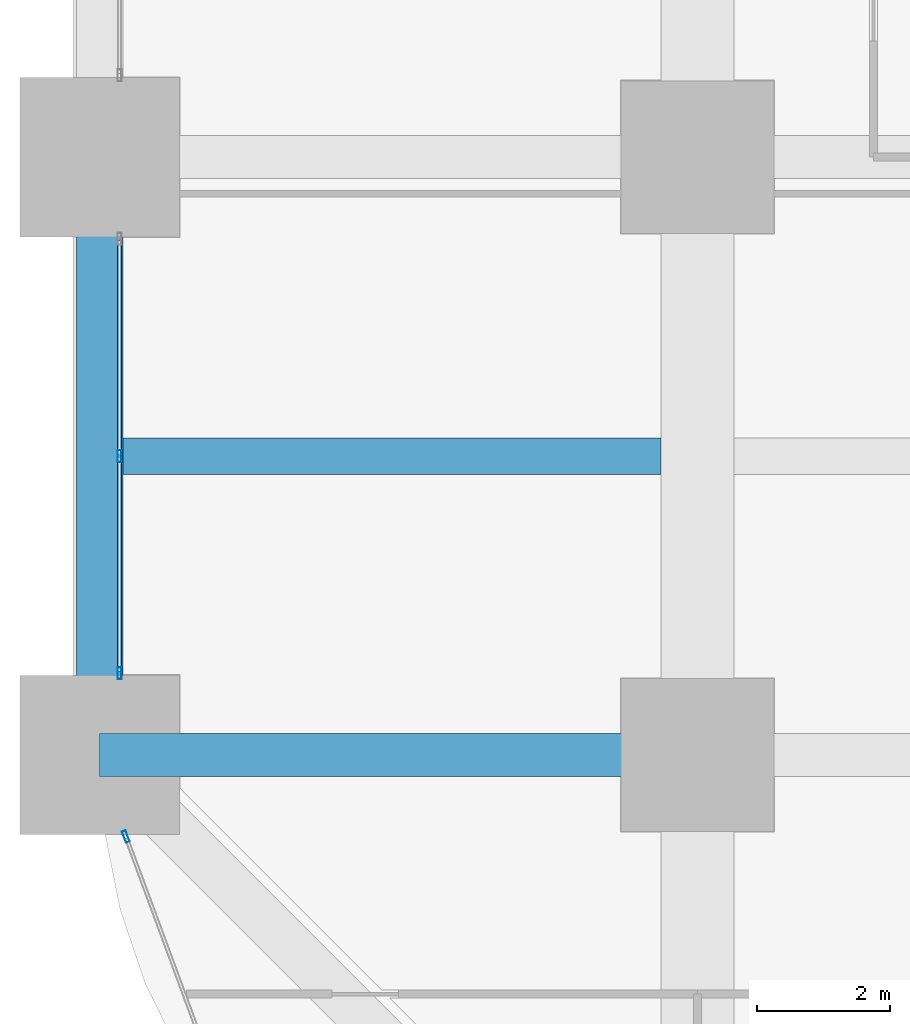
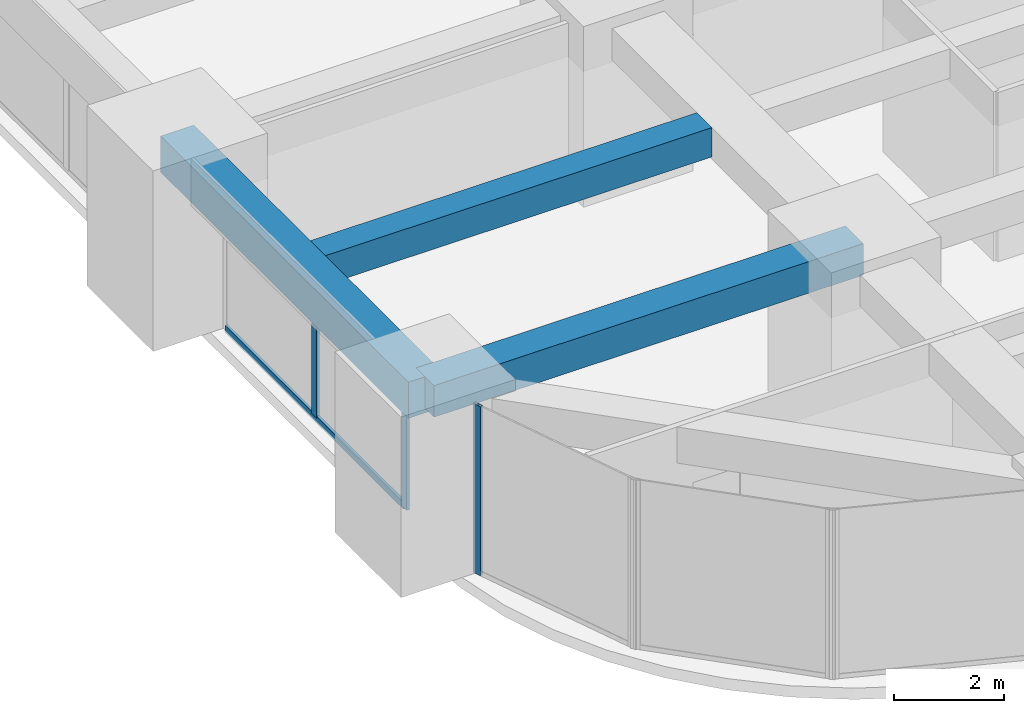
# One storey, part 4 of 45: 4 members, 3 beams, 2 elements without a shape of their own.
"""IFC4 building model written with IfcOpenShell, lengths in metres."""

from ifc_helpers import new_model, si_unit, direction, frame, origin, origin_2d, place, context, subcontext, project, spatial, rectangle, hollow_rectangle, extrude, material, material_profile, profile_set, type_object, element, aggregate, save


model = new_model("IFC4")

# Units and contexts
model_context = context("Model", 3, precision=1e-05, world=origin(), true_north=direction((0.0, 1.0)))
body_context = subcontext(model_context, "Body", "Model", "MODEL_VIEW")
ifc_project = project(units=[si_unit("LENGTHUNIT", "METRE"), si_unit("AREAUNIT", "SQUARE_METRE"), si_unit("VOLUMEUNIT", "CUBIC_METRE"), si_unit("PLANEANGLEUNIT", "RADIAN"), si_unit("MASSUNIT", "GRAM", prefix="KILO")], contexts=[model_context])

# Site, building, storey
site_placement = place(None, origin())
site = spatial("IfcSite", under=ifc_project, at=site_placement, CompositionType="ELEMENT")
building_placement = place(site_placement, origin())
building = spatial("IfcBuilding", under=site, at=building_placement, Name="Zorevar Civic Tower", CompositionType="ELEMENT")
storey_placement = place(building_placement, frame((0.0, 0.0, 23.800048828125)))
storey = spatial("IfcBuildingStorey", under=building, at=storey_placement, Name="L05", CompositionType="ELEMENT", Elevation=23.800048828125)

# Beams
ifc_material_1 = material(Name="Concrete C50/60", Category="concrete")
ifc_material_profile_1 = material_profile(ifc_material_1, rectangle(XDim=0.550048828125, YDim=0.64990234375, at=origin_2d()), Name="RC 550x650")
ifc_profile_set_1 = profile_set([ifc_material_profile_1], Name="Concrete C50/60")
beam_type_1 = type_object("IfcBeamType", Name="Beam RC 550x650", PredefinedType="BEAM", material=ifc_profile_set_1)
beam_1_placement = place(storey_placement, frame((0.35009765625, 13.5, 3.425048828125), z_axis=(1.0, 0.0, 0.0), x_axis=(0.0, 1.0, 0.0)))
element("IfcBeam", 1, at=beam_1_placement, inside=storey, type_object=beam_type_1, Name="Secondary beam L06", PredefinedType="BEAM", context=body_context, shape_type="SweptSolid", body=[
    extrude(rectangle(XDim=0.550048828125, YDim=0.64990234375, at=origin_2d()), origin(), (0.0, 0.0, 1.0), 8.099853515625),
])
ifc_material_2 = material(Name="Concrete C50/60", Category="concrete")
ifc_material_profile_2 = material_profile(ifc_material_2, rectangle(XDim=0.64990234375, YDim=0.699951171875, at=origin_2d()), Name="RC 650x700")
ifc_profile_set_2 = profile_set([ifc_material_profile_2], Name="Concrete C50/60")
beam_type_2 = type_object("IfcBeamType", Name="Beam RC 650x700", PredefinedType="BEAM", material=ifc_profile_set_2)
beam_2_placement = place(storey_placement, frame((0.0, 9.0, 3.39990234375), z_axis=(1.0, 0.0, 0.0), x_axis=(0.0, 1.0, 0.0)))
element("IfcBeam", 2, at=beam_2_placement, inside=storey, type_object=beam_type_2, Name="Girder L06", PredefinedType="BEAM", context=body_context, shape_type="SweptSolid", body=[
    extrude(rectangle(XDim=0.64990234375, YDim=0.699951171875, at=origin_2d()), origin(), (0.0, 0.0, 1.0), 9.0),
])

# Curtain wall, members
ifc_material_3 = material(Name="Dark grey solar-control glass in black aluminium frame", Category="aluminium")
curtain_wall_type = type_object("IfcCurtainWallType", Name="Curtain wall CW2 low zone", PredefinedType="NOTDEFINED", material=ifc_material_3)
curtain_wall_1_placement = place(storey_placement, origin())
curtain_wall_1 = element("IfcCurtainWall", 3, at=curtain_wall_1_placement, inside=storey, type_object=curtain_wall_type, Name="CW2 L05", PredefinedType="NOTDEFINED")
ifc_material_4 = material(Name="Aluminium, black anodised", Category="aluminium")
ifc_material_profile_3 = material_profile(ifc_material_4, hollow_rectangle(XDim=0.06005859375, YDim=0.179931640625, WallThickness=0.00390625, at=origin_2d()), Name="AL 180x60x4")
ifc_profile_set_3 = profile_set([ifc_material_profile_3], Name="Aluminium, black anodised")
member_type_1 = type_object("IfcMemberType", Name="CW2 mullion AL 180x60x4", PredefinedType="MULLION", material=ifc_profile_set_3)
member_1_placement = place(storey_placement, frame((0.300048828125, 10.22998046875, 0.0), z_axis=(0.0, 0.0, 1.0), x_axis=(-1.0, 0.0, 0.0)))
member_1 = element("IfcMember", 4, at=member_1_placement, type_object=member_type_1, Name="CW2 mullion 1", PredefinedType="MULLION", context=body_context, shape_type="SweptSolid", body=[
    extrude(hollow_rectangle(XDim=0.06005859375, YDim=0.179931640625, WallThickness=0.00390625, at=origin_2d()), origin(), (0.0, 0.0, 1.0), 2.949951171875),
])
member_2_placement = place(storey_placement, frame((0.300048828125, 13.5, 0.06005859375), z_axis=(0.0, 0.0, 1.0), x_axis=(-1.0, 0.0, 0.0)))
member_2 = element("IfcMember", 5, at=member_2_placement, type_object=member_type_1, Name="CW2 mullion 2", PredefinedType="MULLION", context=body_context, shape_type="SweptSolid", body=[
    extrude(hollow_rectangle(XDim=0.06005859375, YDim=0.179931640625, WallThickness=0.00390625, at=origin_2d()), origin(), (0.0, 0.0, 1.0), 2.889892578125),
])

# Curtain wall, member
curtain_wall_2_placement = place(storey_placement, origin())
curtain_wall_2 = element("IfcCurtainWall", 6, at=curtain_wall_2_placement, inside=storey, type_object=curtain_wall_type, Name="CW2 L05", PredefinedType="NOTDEFINED")
member_3_placement = place(storey_placement, frame((0.3935546875, 7.77197265625, 0.0), z_axis=(0.0, 0.0, 1.0), x_axis=(0.937974588163, 0.346704012033, 0.0)))
member_3 = element("IfcMember", 7, at=member_3_placement, type_object=member_type_1, Name="CW2 mullion 1", PredefinedType="MULLION", context=body_context, shape_type="SweptSolid", body=[
    extrude(hollow_rectangle(XDim=0.06005859375, YDim=0.179931640625, WallThickness=0.00390625, at=origin_2d()), origin(), (0.0, 0.0, 1.0), 3.75),
])
aggregate(curtain_wall_2, [member_3])

# Member
ifc_material_5 = material(Name="Aluminium, black anodised", Category="aluminium")
ifc_material_profile_4 = material_profile(ifc_material_5, hollow_rectangle(XDim=0.06005859375, YDim=0.14990234375, WallThickness=0.00390625, at=origin_2d()), Name="AL 150x60x4")
ifc_profile_set_4 = profile_set([ifc_material_profile_4], Name="Aluminium, black anodised")
member_type_2 = type_object("IfcMemberType", Name="CW2 transom AL 150x60x4", PredefinedType="USERDEFINED", material=ifc_profile_set_4)
member_4_placement = place(storey_placement, frame((0.300048828125, 10.260009765625, 0.030029296875), z_axis=(0.0, 1.0, 0.0), x_axis=(-1.0, 0.0, 0.0)))
member_4 = element("IfcMember", 8, at=member_4_placement, type_object=member_type_2, Name="CW2 sill transom", ObjectType="TRANSOM", PredefinedType="USERDEFINED", context=body_context, shape_type="SweptSolid", body=[
    extrude(hollow_rectangle(XDim=0.06005859375, YDim=0.14990234375, WallThickness=0.00390625, at=origin_2d()), origin(), (0.0, 0.0, 1.0), 6.47998046875),
])

aggregate(curtain_wall_1, [member_1, member_2, member_4])

# Beam
ifc_material_6 = material(Name="Concrete C50/60", Category="concrete")
ifc_material_profile_5 = material_profile(ifc_material_6, rectangle(XDim=0.699951171875, YDim=0.800048828125, at=origin_2d()), Name="RC 700x800")
ifc_profile_set_5 = profile_set([ifc_material_profile_5], Name="Concrete C50/60")
beam_type_3 = type_object("IfcBeamType", Name="Edge beam RC 700x800", PredefinedType="SPANDREL", material=ifc_profile_set_5)
beam_3_placement = place(storey_placement, frame((0.0, 9.0, 3.349853515625), z_axis=(0.0, 1.0, 0.0), x_axis=(-1.0, 0.0, 0.0)))
element("IfcBeam", 9, at=beam_3_placement, inside=storey, type_object=beam_type_3, Name="Edge beam L06", PredefinedType="SPANDREL", context=body_context, shape_type="SweptSolid", body=[
    extrude(rectangle(XDim=0.699951171875, YDim=0.800048828125, at=origin_2d()), origin(), (0.0, 0.0, 1.0), 9.0),
])

save(model, "model.ifc")
